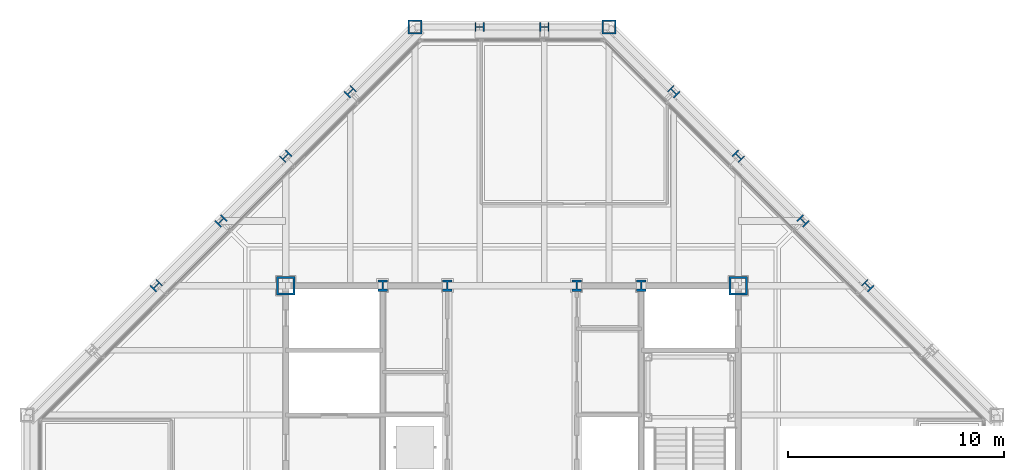
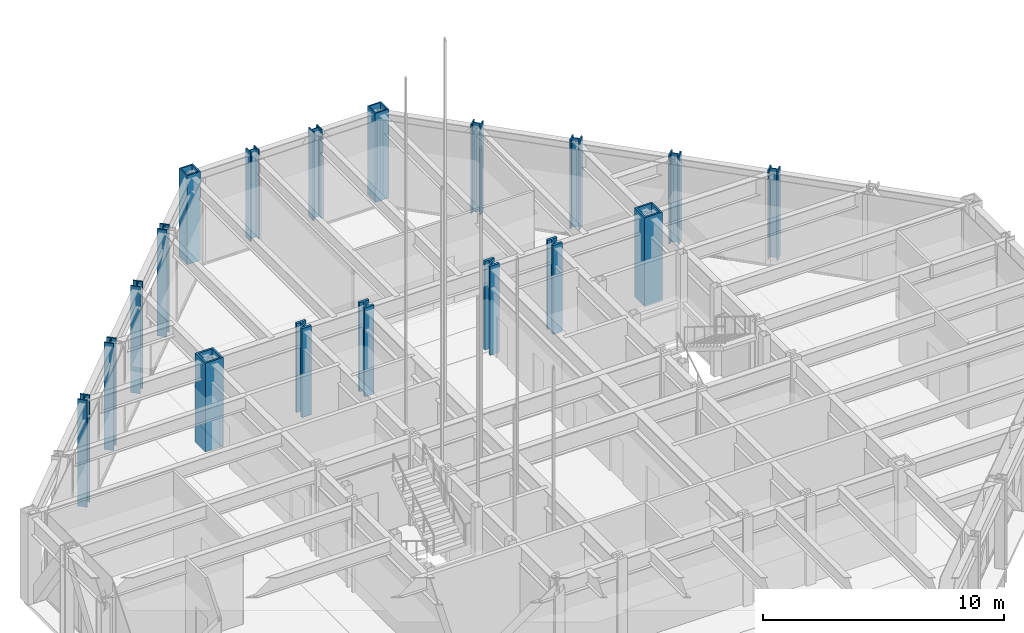
# One storey, part 4 of 24: 18 columns.
"""IFC4 building model written with IfcOpenShell, lengths in metres."""

from ifc_helpers import new_model, si_unit, direction, frame, origin, origin_2d, place, context, subcontext, project, spatial, hollow_rectangle, i_section, extrude, material, material_profile, profile_set, type_object, element, save


model = new_model("IFC4")

# Units and contexts
model_context = context("Model", 3, precision=1e-05, world=origin(), true_north=direction((0.0, 1.0)))
body_context = subcontext(model_context, "Body", "Model", "MODEL_VIEW")
ifc_project = project(units=[si_unit("LENGTHUNIT", "METRE"), si_unit("AREAUNIT", "SQUARE_METRE"), si_unit("VOLUMEUNIT", "CUBIC_METRE"), si_unit("PLANEANGLEUNIT", "RADIAN"), si_unit("MASSUNIT", "GRAM", prefix="KILO")], contexts=[model_context])

# Site, building, storey
site_placement = place(None, origin())
site = spatial("IfcSite", under=ifc_project, at=site_placement, CompositionType="ELEMENT")
building_placement = place(site_placement, origin())
building = spatial("IfcBuilding", under=site, at=building_placement, Name="Chuquiago Exchange Tower", CompositionType="ELEMENT")
storey_placement = place(building_placement, frame((0.0, 0.0, 257.699951171875)))
storey = spatial("IfcBuildingStorey", under=building, at=storey_placement, Name="L57", CompositionType="ELEMENT", Elevation=257.699951171875)

# Columns
ifc_material_1 = material(Name="Steel ASTM A992", Category="steel")
ifc_material_profile_1 = material_profile(ifc_material_1, i_section(OverallWidth=0.411376953125, OverallDepth=0.434326171875, WebThickness=0.035888671875, FlangeThickness=0.057373046875, at=origin_2d()), Name="W14X311")
ifc_profile_set_1 = profile_set([ifc_material_profile_1], Name="Steel ASTM A992")
column_type_1 = type_object("IfcColumnType", Name="C5 W14X311", PredefinedType="COLUMN", material=ifc_profile_set_1)
for number, where, z_axis, x_axis, name in (
    (1, (24.0, 45.0, 0.0), (0.0, 0.0, 1.0), (0.0, 1.0, 0.0), "COL-L57-24_45"),
    (2, (21.0, 45.0, 0.0), (0.0, 0.0, 1.0), (0.0, 1.0, 0.0), "COL-L57-21_45"),
):
    element("IfcColumn", number, at=place(storey_placement, frame(where, z_axis=z_axis, x_axis=x_axis)), inside=storey, type_object=column_type_1, Name=name, PredefinedType="COLUMN", context=body_context, shape_type="SweptSolid", body=[
        extrude(i_section(OverallWidth=0.411376953125, OverallDepth=0.434326171875, WebThickness=0.035888671875, FlangeThickness=0.057373046875, at=origin_2d()), origin(), (0.0, 0.0, 1.0), 4.5),
    ])
ifc_material_2 = material(Name="Steel ASTM A992", Category="steel")
ifc_material_profile_2 = material_profile(ifc_material_2, i_section(OverallWidth=0.449462890625, OverallDepth=0.548583984375, WebThickness=0.07177734375, FlangeThickness=0.11474609375, at=origin_2d()), Name="W14X665")
ifc_profile_set_2 = profile_set([ifc_material_profile_2], Name="Steel ASTM A992")
column_type_2 = type_object("IfcColumnType", Name="CC5 W14X665", PredefinedType="COLUMN", material=ifc_profile_set_2)
for number, where, z_axis, x_axis, name in (
    (3, (16.5, 33.0, 0.0), (0.0, 0.0, 1.0), (1.0, 0.0, 0.0), "CCOL-L57-16.5_33"),
    (4, (19.5, 33.0, 0.0), (0.0, 0.0, 1.0), (1.0, 0.0, 0.0), "CCOL-L57-19.5_33"),
    (5, (25.5, 33.0, 0.0), (0.0, 0.0, 1.0), (1.0, 0.0, 0.0), "CCOL-L57-25.5_33"),
    (6, (28.5, 33.0, 0.0), (0.0, 0.0, 1.0), (1.0, 0.0, 0.0), "CCOL-L57-28.5_33"),
):
    element("IfcColumn", number, at=place(storey_placement, frame(where, z_axis=z_axis, x_axis=x_axis)), inside=storey, type_object=column_type_2, Name=name, PredefinedType="COLUMN", context=body_context, shape_type="SweptSolid", body=[
        extrude(i_section(OverallWidth=0.449462890625, OverallDepth=0.548583984375, WebThickness=0.07177734375, FlangeThickness=0.11474609375, at=origin_2d()), origin(), (0.0, 0.0, 1.0), 4.5),
    ])
ifc_material_3 = material(Name="Steel ASTM A572 Grade 50", Category="steel")
ifc_material_profile_3 = material_profile(ifc_material_3, hollow_rectangle(XDim=0.85009765625, YDim=0.85009765625, WallThickness=0.0849609375, at=origin_2d()), Name="BOX850X850X85")
ifc_profile_set_3 = profile_set([ifc_material_profile_3], Name="Steel ASTM A572 Grade 50")
column_type_3 = type_object("IfcColumnType", Name="CC6 BOX850X850X85", PredefinedType="COLUMN", material=ifc_profile_set_3)
for number, where, z_axis, x_axis, name in (
    (7, (12.0, 33.0, 0.0), (0.0, 0.0, 1.0), (1.0, 0.0, 0.0), "CCOL-L57-12_33"),
    (8, (33.0, 33.0, 0.0), (0.0, 0.0, 1.0), (1.0, 0.0, 0.0), "CCOL-L57-33_33"),
):
    element("IfcColumn", number, at=place(storey_placement, frame(where, z_axis=z_axis, x_axis=x_axis)), inside=storey, type_object=column_type_3, Name=name, PredefinedType="COLUMN", context=body_context, shape_type="SweptSolid", body=[
        extrude(hollow_rectangle(XDim=0.85009765625, YDim=0.85009765625, WallThickness=0.0849609375, at=origin_2d()), origin(), (0.0, 0.0, 1.0), 4.5),
    ])
ifc_material_4 = material(Name="Steel ASTM A992", Category="steel")
ifc_material_profile_4 = material_profile(ifc_material_4, i_section(OverallWidth=0.41650390625, OverallDepth=0.444580078125, WebThickness=0.0390625, FlangeThickness=0.062744140625, at=origin_2d()), Name="W14X342")
ifc_profile_set_4 = profile_set([ifc_material_profile_4], Name="Steel ASTM A992")
column_type_4 = type_object("IfcColumnType", Name="CK5 W14X342", PredefinedType="COLUMN", material=ifc_profile_set_4)
for number, where, z_axis, x_axis, name in (
    (9, (39.0, 33.0, 0.0), (0.0, 0.0, 1.0), (0.707106781187, 0.707106781187, 0.0), "COL-L57-39_33"),
    (10, (36.0, 36.0, 0.0), (0.0, 0.0, 1.0), (0.707106781187, 0.707106781187, 0.0), "COL-L57-36_36"),
    (11, (33.0, 39.0, 0.0), (0.0, 0.0, 1.0), (0.707106781187, 0.707106781187, 0.0), "COL-L57-33_39"),
    (12, (30.0, 42.0, 0.0), (0.0, 0.0, 1.0), (0.707106781187, 0.707106781187, 0.0), "COL-L57-30_42"),
):
    element("IfcColumn", number, at=place(storey_placement, frame(where, z_axis=z_axis, x_axis=x_axis)), inside=storey, type_object=column_type_4, Name=name, PredefinedType="COLUMN", context=body_context, shape_type="SweptSolid", body=[
        extrude(i_section(OverallWidth=0.41650390625, OverallDepth=0.444580078125, WebThickness=0.0390625, FlangeThickness=0.062744140625, at=origin_2d()), origin(), (0.0, 0.0, 1.0), 4.5),
    ])
for number, where, z_axis, x_axis, name in (
    (13, (15.0, 42.0, -0.909912109375), (0.0, 0.0, 1.0), (-0.707106781187, 0.707106781187, 0.0), "COL-L57-15_42"),
    (14, (12.0, 39.0, -0.909912109375), (0.0, 0.0, 1.0), (-0.707106781187, 0.707106781187, 0.0), "COL-L57-12_39"),
    (15, (9.0, 36.0, -0.909912109375), (0.0, 0.0, 1.0), (-0.707106781187, 0.707106781187, 0.0), "COL-L57-9_36"),
    (16, (6.0, 33.0, -0.909912109375), (0.0, 0.0, 1.0), (-0.707106781187, 0.707106781187, 0.0), "COL-L57-6_33"),
):
    element("IfcColumn", number, at=place(storey_placement, frame(where, z_axis=z_axis, x_axis=x_axis)), inside=storey, type_object=column_type_4, Name=name, PredefinedType="COLUMN", context=body_context, shape_type="SweptSolid", body=[
        extrude(i_section(OverallWidth=0.41650390625, OverallDepth=0.444580078125, WebThickness=0.0390625, FlangeThickness=0.062744140625, at=origin_2d()), origin(), (0.0, 0.0, 1.0), 5.409912109375),
    ])
ifc_material_5 = material(Name="Steel ASTM A572 Grade 50", Category="steel")
ifc_material_profile_5 = material_profile(ifc_material_5, hollow_rectangle(XDim=0.64990234375, YDim=0.64990234375, WallThickness=0.06494140625, at=origin_2d()), Name="BOX650X650X65")
ifc_profile_set_5 = profile_set([ifc_material_profile_5], Name="Steel ASTM A572 Grade 50")
column_type_5 = type_object("IfcColumnType", Name="CN2 BOX650X650X65", PredefinedType="COLUMN", material=ifc_profile_set_5)
for number, where, z_axis, x_axis, name in (
    (17, (27.0, 45.0, 0.0), (0.0, 0.0, 1.0), (0.0, 1.0, 0.0), "COL-L57-27_45"),
    (18, (18.0, 45.0, 0.0), (0.0, 0.0, 1.0), (0.0, 1.0, 0.0), "COL-L57-18_45"),
):
    element("IfcColumn", number, at=place(storey_placement, frame(where, z_axis=z_axis, x_axis=x_axis)), inside=storey, type_object=column_type_5, Name=name, PredefinedType="COLUMN", context=body_context, shape_type="SweptSolid", body=[
        extrude(hollow_rectangle(XDim=0.64990234375, YDim=0.64990234375, WallThickness=0.06494140625, at=origin_2d()), origin(), (0.0, 0.0, 1.0), 4.5),
    ])

save(model, "model.ifc")
